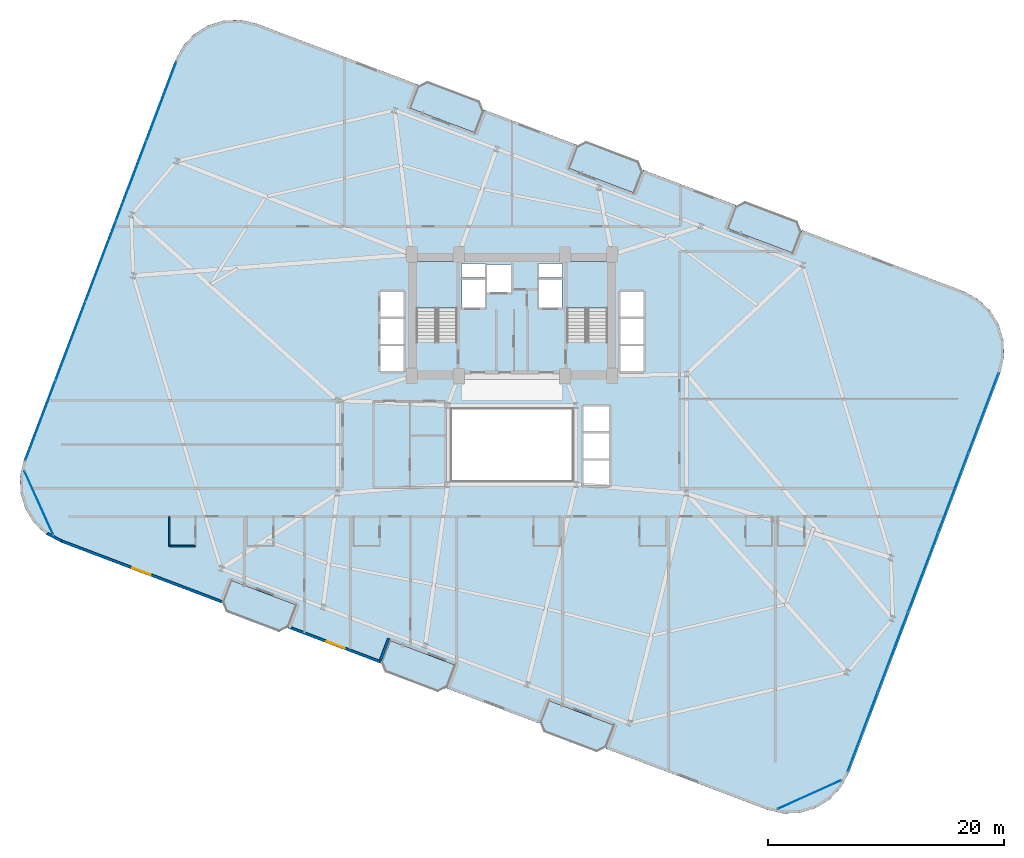
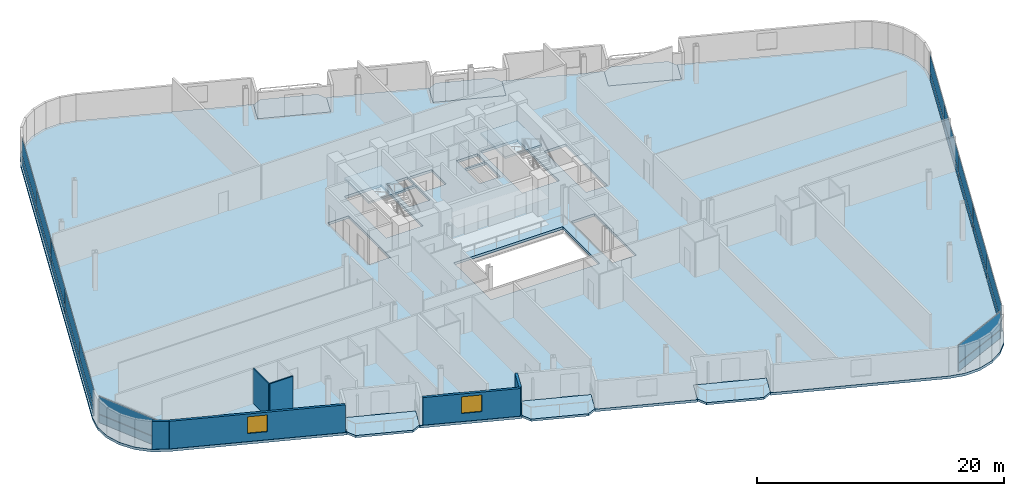
# One storey, part 17 of 25: 24 plates, 9 slabs, 6 walls, 2 windows, 2 openings, 6 elements without a shape of their own.
"""IFC4 building model written with IfcOpenShell, lengths in metres."""

import ifcopenshell
import ifcopenshell.guid

model = None  # the IFC model being written
_history = None  # IfcOwnerHistory: only IFC2X3 demands one
_inside = {}  # id of a spatial element -> (the spatial element, [elements in it])
_under = {}  # id of a project, library or spatial element -> (it, [spatial elements below it])
_declared = {}  # id of a project -> (the project, [libraries it declares])
_typed = {}  # id of a type object -> (the type object, [elements of that type])
_made_of = {}  # id of a material, layer set ... -> (it, [elements and type objects made of it])


def new_model(schema):
    """Start an empty IFC model of exactly this schema.

    Asked for "IFC4X3", IfcOpenShell would pick the latest addendum, in which some entities
    have other attributes; the version numbers below select the first issue.
    IFC2X3 requires an IfcOwnerHistory on every rooted entity: one is made here for all.
    """
    global model, _history
    if schema == "IFC4X3":
        model = ifcopenshell.file(schema_version=(4, 3, 0, 0))
    else:
        model = ifcopenshell.file(schema=schema)
    _inside.clear()
    _under.clear()
    _declared.clear()
    _typed.clear()
    _made_of.clear()
    _history = None
    if model.schema == "IFC2X3":
        org = make("IfcOrganization", Name="unknown")
        user = make(
            "IfcPersonAndOrganization",
            ThePerson=make("IfcPerson", FamilyName="unknown"),
            TheOrganization=org,
        )
        app = make(
            "IfcApplication",
            ApplicationDeveloper=org,
            Version="unknown",
            ApplicationFullName="unknown",
            ApplicationIdentifier="unknown",
        )
        _history = make(
            "IfcOwnerHistory",
            OwningUser=user,
            OwningApplication=app,
            ChangeAction="ADDED",
            CreationDate=0,
        )
    return model


def make(cls, **values):
    """One entity of the class cls with the attributes given. An attribute that is None is left unset."""
    return model.create_entity(
        cls, **{name: value for name, value in values.items() if value is not None}
    )


def rooted(cls, **values):
    """An entity with a GlobalId (a new one), such as an element, a storey or a relation."""
    return make(cls, GlobalId=ifcopenshell.guid.new(), OwnerHistory=_history, **values)


def si_unit(unit_type, name, prefix=None):
    """IfcSIUnit, for example si_unit("LENGTHUNIT", "METRE", prefix="MILLI")."""
    return make("IfcSIUnit", UnitType=unit_type, Prefix=prefix, Name=name)


def assignment(units):
    """IfcUnitAssignment: the units of a project."""
    return None if units is None else make("IfcUnitAssignment", Units=units)


def point(xyz):
    """IfcCartesianPoint."""
    return None if xyz is None else make("IfcCartesianPoint", Coordinates=xyz)


def direction(xyz):
    """IfcDirection."""
    return None if xyz is None else make("IfcDirection", DirectionRatios=xyz)


def frame(location, z_axis=None, x_axis=None):
    """IfcAxis2Placement3D, a coordinate frame: its origin and axes. An axis left out is left unset."""
    return make(
        "IfcAxis2Placement3D",
        Location=point(location),
        Axis=direction(z_axis),
        RefDirection=direction(x_axis),
    )


def frame_2d(location, x_axis=None):
    """IfcAxis2Placement2D, a coordinate frame in the plane: its origin and x axis."""
    return make(
        "IfcAxis2Placement2D", Location=point(location), RefDirection=direction(x_axis)
    )


def origin():
    """The frame at (0, 0, 0) with its axes left unset."""
    return frame((0.0, 0.0, 0.0))


def origin_2d():
    """The frame at (0, 0) in the plane with its x axis left unset."""
    return frame_2d((0.0, 0.0))


def place(relative_to, where):
    """IfcLocalPlacement: puts the frame where relative to a parent placement (None: the world)."""
    return make(
        "IfcLocalPlacement", PlacementRelTo=relative_to, RelativePlacement=where
    )


def context(
    kind, dimensions, precision=None, world=None, true_north=None, identifier=None
):
    """IfcGeometricRepresentationContext, for example the 3D "Model" context."""
    return make(
        "IfcGeometricRepresentationContext",
        ContextIdentifier=identifier,
        ContextType=kind,
        CoordinateSpaceDimension=dimensions,
        Precision=precision,
        WorldCoordinateSystem=world,
        TrueNorth=true_north,
    )


def subcontext(parent, identifier, kind, view, scale=None):
    """IfcGeometricRepresentationSubContext, for example "Body" below "Model"."""
    return make(
        "IfcGeometricRepresentationSubContext",
        ContextIdentifier=identifier,
        ContextType=kind,
        ParentContext=parent,
        TargetScale=scale,
        TargetView=view,
    )


def project(units=None, contexts=None):
    """IfcProject with its units and contexts."""
    return rooted(
        "IfcProject",
        Name="project",
        RepresentationContexts=contexts,
        UnitsInContext=assignment(units),
    )


def spatial(cls, under=None, at=None, **own):
    """A site, building, storey or space (cls), placed at a placement, below another one or the project."""
    s = rooted(cls, ObjectPlacement=at, **own)
    if under is not None:
        _under.setdefault(under.id(), (under, []))[1].append(s)
    return s


def polyline(points):
    """IfcPolyline through the points."""
    return make("IfcPolyline", Points=[point(p) for p in points])


def profile(cls, at=None, kind="AREA", **sizes):
    """A parametric profile (cls). Its sizes go by their IFC names, for example OverallWidth=200.0."""
    return make(cls, ProfileType=kind, Position=at, **sizes)


def rectangle(**sizes):
    """IfcRectangleProfileDef."""
    return profile("IfcRectangleProfileDef", **sizes)


def outline(outer, holes=None, kind="AREA"):
    """IfcArbitraryClosedProfileDef: a profile drawn as a closed curve; with holes, ...WithVoids."""
    if holes is None:
        return make("IfcArbitraryClosedProfileDef", ProfileType=kind, OuterCurve=outer)
    return make(
        "IfcArbitraryProfileDefWithVoids",
        ProfileType=kind,
        OuterCurve=outer,
        InnerCurves=holes,
    )


def extrude(swept, where, along, depth):
    """IfcExtrudedAreaSolid: the profile swept, set in the frame where, extruded along a direction by depth."""
    return make(
        "IfcExtrudedAreaSolid",
        SweptArea=swept,
        Position=where,
        ExtrudedDirection=direction(along),
        Depth=depth,
    )


def shape(context_of_items, identifier, shape_type, items):
    """IfcShapeRepresentation: the items that make up one representation, for example the "Body"."""
    return make(
        "IfcShapeRepresentation",
        ContextOfItems=context_of_items,
        RepresentationIdentifier=identifier,
        RepresentationType=shape_type,
        Items=items,
    )


def source(mapping_origin, context_of_items, identifier, shape_type, items):
    """IfcRepresentationMap: a shape defined once, which mapped items show again and again."""
    return make(
        "IfcRepresentationMap",
        MappingOrigin=mapping_origin,
        MappedRepresentation=shape(context_of_items, identifier, shape_type, items),
    )


def transform(
    local_origin,
    x_axis=None,
    y_axis=None,
    z_axis=None,
    scale=None,
    scale2=None,
    scale3=None,
    uniform=True,
):
    """IfcCartesianTransformationOperator3D, or its non-uniform kind. x_axis, y_axis, z_axis: its Axis1, 2, 3."""
    if uniform:
        return make(
            "IfcCartesianTransformationOperator3D",
            Axis1=direction(x_axis),
            Axis2=direction(y_axis),
            LocalOrigin=point(local_origin),
            Scale=scale,
            Axis3=direction(z_axis),
        )
    return make(
        "IfcCartesianTransformationOperator3DnonUniform",
        Axis1=direction(x_axis),
        Axis2=direction(y_axis),
        LocalOrigin=point(local_origin),
        Scale=scale,
        Axis3=direction(z_axis),
        Scale2=scale2,
        Scale3=scale3,
    )


def mapped(mapping_source, mapping_target):
    """IfcMappedItem: shows the shape of a source again, moved by a transform."""
    return make(
        "IfcMappedItem", MappingSource=mapping_source, MappingTarget=mapping_target
    )


def material(Name=None, Category=None):
    """IfcMaterial."""
    return make("IfcMaterial", Name=Name, Category=Category)


def layer(
    of_material, thickness, ventilated=None, Name=None, Category=None, Priority=None
):
    """IfcMaterialLayer: one layer of a wall or slab, of a material (None: an air gap)."""
    return make(
        "IfcMaterialLayer",
        Material=of_material,
        LayerThickness=thickness,
        IsVentilated=ventilated,
        Name=Name,
        Category=Category,
        Priority=Priority,
    )


def layer_set(layers, Name=None):
    """IfcMaterialLayerSet."""
    return make("IfcMaterialLayerSet", MaterialLayers=layers, LayerSetName=Name)


def made_of(thing, what):
    """Note that an element or type object is made of a material, layer set ...; save() writes the relation."""
    if what is not None:
        _made_of.setdefault(what.id(), (what, []))[1].append(thing)
    return thing


def type_object(cls, material=None, **own):
    """A type object (cls), such as IfcWallType, which elements share."""
    return made_of(rooted(cls, **own), material)


def element(
    cls,
    number,
    at=None,
    inside=None,
    cuts=None,
    type_object=None,
    material=None,
    context=None,
    identifier="Body",
    shape_type=None,
    held_by="IfcProductDefinitionShape",
    body=None,
    shapes=None,
    **own,
):
    """One element of the class cls, such as IfcWall. Its Tag is "e" and its number.

    at: its placement. inside: the storey or other place that contains it. cuts: it is an
    opening in that element (IfcRelVoidsElement). A single representation is given by context,
    identifier, shape_type and body (its items); several are given by shapes. held_by: the class
    of the entity that holds the representations. save() writes the other relations.
    """
    e = rooted(cls, Tag="e%d" % number, ObjectPlacement=at, **own)
    if body is not None:
        shapes = [shape(context, identifier, shape_type, body)]
    if shapes is not None:
        e.Representation = make(held_by, Representations=shapes)
    if inside is not None:
        _inside.setdefault(inside.id(), (inside, []))[1].append(e)
    if cuts is not None:
        rooted(
            "IfcRelVoidsElement", RelatingBuildingElement=cuts, RelatedOpeningElement=e
        )
    if type_object is not None:
        _typed.setdefault(type_object.id(), (type_object, []))[1].append(e)
    return made_of(e, material)


def fill(opening, filler):
    """IfcRelFillsElement: the door or window that sits in an opening."""
    return rooted(
        "IfcRelFillsElement",
        RelatingOpeningElement=opening,
        RelatedBuildingElement=filler,
    )


def aggregate(whole, parts):
    """IfcRelAggregates: a whole, such as a stair, and the parts it consists of."""
    return rooted("IfcRelAggregates", RelatingObject=whole, RelatedObjects=parts)


def save(model, path):
    """Write the relations noted so far, then the file.

    IfcRelAggregates (storeys below a building ...), IfcRelContainedInSpatialStructure (elements
    in a storey), IfcRelDefinesByType, IfcRelAssociatesMaterial and IfcRelDeclares: one each for
    every whole, place, type object, material and project.
    """
    for whole, parts in _under.values():
        aggregate(whole, parts)
    for where, things in _inside.values():
        rooted(
            "IfcRelContainedInSpatialStructure",
            RelatedElements=things,
            RelatingStructure=where,
        )
    for kind, things in _typed.values():
        rooted("IfcRelDefinesByType", RelatedObjects=things, RelatingType=kind)
    for what, things in _made_of.values():
        rooted("IfcRelAssociatesMaterial", RelatedObjects=things, RelatingMaterial=what)
    for by, libraries in _declared.values():
        rooted("IfcRelDeclares", RelatingContext=by, RelatedDefinitions=libraries)
    model.write(path)


model = new_model("IFC4")

# Units and contexts
model_context = context("Model", 3, precision=1e-05, world=origin(), true_north=direction((0.0, 1.0)))
body_context = subcontext(model_context, "Body", "Model", "MODEL_VIEW")
ifc_project = project(units=[si_unit("LENGTHUNIT", "METRE"), si_unit("AREAUNIT", "SQUARE_METRE"), si_unit("VOLUMEUNIT", "CUBIC_METRE"), si_unit("PLANEANGLEUNIT", "RADIAN"), si_unit("MASSUNIT", "GRAM", prefix="KILO")], contexts=[model_context])

# Site, building, storey
site_placement = place(None, origin())
site = spatial("IfcSite", under=ifc_project, at=site_placement, CompositionType="ELEMENT")
building_placement = place(site_placement, origin())
building = spatial("IfcBuilding", under=site, at=building_placement, Name="Varnelok Gate Tower", CompositionType="ELEMENT")
storey_placement = place(building_placement, frame((0.0, 0.0, 76.199951171875)))
storey = spatial("IfcBuildingStorey", under=building, at=storey_placement, Name="L18", CompositionType="ELEMENT", Elevation=76.199951171875)

# Slabs
ifc_material_1 = material(Name="Concrete C45/55", Category="concrete")
ifc_layer_1 = layer(ifc_material_1, 0.219970703125)
ifc_layer_set_1 = layer_set([ifc_layer_1], Name="Concrete C45/55")
slab_type_1 = type_object("IfcSlabType", Name="SLB-BALC-220", PredefinedType="FLOOR", material=ifc_layer_set_1)
slab_1_placement = place(storey_placement, frame((0.0, 0.0, -0.219970703125)))
element("IfcSlab", 1, at=slab_1_placement, inside=storey, type_object=slab_type_1, Name="L18 South Hollow Balcony 1", PredefinedType="FLOOR", context=body_context, shape_type="SweptSolid", body=[
    extrude(outline(polyline([(14.64208984375, 9.576416015625), (15.019775390625, 8.738525390625), (19.415283203125, 7.074462890625), (20.25341796875, 7.4521484375), (20.96142578125, 9.322509765625), (15.35009765625, 11.447021484375), (14.64208984375, 9.576416015625)])), origin(), (0.0, 0.0, 1.0), 0.219970703125),
])
slab_2_placement = place(storey_placement, frame((0.0, 0.0, -0.219970703125)))
element("IfcSlab", 2, at=slab_2_placement, inside=storey, type_object=slab_type_1, Name="L18 South Hollow Balcony 2", PredefinedType="FLOOR", context=body_context, shape_type="SweptSolid", body=[
    extrude(outline(polyline([(28.109375, 4.47802734375), (28.487060546875, 3.639892578125), (32.882568359375, 1.975830078125), (33.720703125, 2.353515625), (34.4287109375, 4.22412109375), (28.8173828125, 6.348388671875), (28.109375, 4.47802734375)])), origin(), (0.0, 0.0, 1.0), 0.219970703125),
])
slab_3_placement = place(storey_placement, frame((0.0, 0.0, -0.219970703125)))
element("IfcSlab", 3, at=slab_3_placement, inside=storey, type_object=slab_type_1, Name="L18 South Hollow Balcony 3", PredefinedType="FLOOR", context=body_context, shape_type="SweptSolid", body=[
    extrude(outline(polyline([(41.576416015625, -0.62060546875), (41.9541015625, -1.45849609375), (46.349853515625, -3.12255859375), (47.187744140625, -2.744873046875), (47.89599609375, -0.87451171875), (42.28466796875, 1.25), (41.576416015625, -0.62060546875)])), origin(), (0.0, 0.0, 1.0), 0.219970703125),
])
slab_4_placement = place(storey_placement, frame((0.0, 0.0, -0.219970703125)))
element("IfcSlab", 4, at=slab_4_placement, inside=storey, type_object=slab_type_1, Name="L18 North Hollow Balcony 1", PredefinedType="FLOOR", context=body_context, shape_type="SweptSolid", body=[
    extrude(outline(polyline([(30.504150390625, 51.474365234375), (36.115478515625, 49.35009765625), (36.823486328125, 51.220458984375), (36.44580078125, 52.05859375), (32.05029296875, 53.72265625), (31.212158203125, 53.344970703125), (30.504150390625, 51.474365234375)])), origin(), (0.0, 0.0, 1.0), 0.219970703125),
])
slab_5_placement = place(storey_placement, frame((0.0, 0.0, -0.219970703125)))
element("IfcSlab", 5, at=slab_5_placement, inside=storey, type_object=slab_type_1, Name="L18 North Hollow Balcony 2", PredefinedType="FLOOR", context=body_context, shape_type="SweptSolid", body=[
    extrude(outline(polyline([(43.97119140625, 46.3759765625), (49.58251953125, 44.251708984375), (50.290771484375, 46.1220703125), (49.9130859375, 46.9599609375), (45.517333984375, 48.6240234375), (44.679443359375, 48.246337890625), (43.97119140625, 46.3759765625)])), origin(), (0.0, 0.0, 1.0), 0.219970703125),
])
slab_6_placement = place(storey_placement, frame((0.0, 0.0, -0.219970703125)))
element("IfcSlab", 6, at=slab_6_placement, inside=storey, type_object=slab_type_1, Name="L18 North Hollow Balcony 3", PredefinedType="FLOOR", context=body_context, shape_type="SweptSolid", body=[
    extrude(outline(polyline([(57.4384765625, 41.27734375), (63.0498046875, 39.153076171875), (63.7578125, 41.0234375), (63.380126953125, 41.861572265625), (58.984619140625, 43.525634765625), (58.146484375, 43.14794921875), (57.4384765625, 41.27734375)])), origin(), (0.0, 0.0, 1.0), 0.219970703125),
])

# Stair, slab
ifc_material_2 = material(Name="Concrete C50/60", Category="concrete")
stair_type = type_object("IfcStairType", Name="STR-CORE-1650", PredefinedType="HALF_TURN_STAIR", material=ifc_material_2)
stair_1_placement = place(storey_placement, origin())
stair_1 = element("IfcStair", 7, at=stair_1_placement, inside=storey, type_object=stair_type, Name="L18 Exit Stair ST-1", PredefinedType="HALF_TURN_STAIR")
ifc_layer_2 = layer(ifc_material_1, 0.199951171875)
ifc_layer_set_2 = layer_set([ifc_layer_2], Name="Concrete C45/55")
slab_type_2 = type_object("IfcSlabType", Name="SLB-LAND-200", PredefinedType="LANDING", material=ifc_layer_set_2)
slab_7_placement = place(storey_placement, frame((0.0, 0.0, 1.650146484375)))
slab_7 = element("IfcSlab", 8, at=slab_7_placement, type_object=slab_type_2, Name="ST-1 landing 1", PredefinedType="LANDING", context=body_context, shape_type="SweptSolid", body=[
    extrude(outline(polyline([(34.550048828125, 34.5), (34.550048828125, 38.449951171875), (31.10009765625, 38.449951171875), (31.10009765625, 34.5), (34.550048828125, 34.5)])), origin(), (0.0, 0.0, 1.0), 0.199951171875),
])
aggregate(stair_1, [slab_7])

stair_2_placement = place(storey_placement, origin())
stair_2 = element("IfcStair", 9, at=stair_2_placement, inside=storey, type_object=stair_type, Name="L18 Exit Stair ST-2", PredefinedType="HALF_TURN_STAIR")
slab_8_placement = place(storey_placement, frame((0.0, 0.0, 1.650146484375)))
slab_8 = element("IfcSlab", 10, at=slab_8_placement, type_object=slab_type_2, Name="ST-2 landing 1", PredefinedType="LANDING", context=body_context, shape_type="SweptSolid", body=[
    extrude(outline(polyline([(47.300048828125, 34.5), (47.300048828125, 38.449951171875), (43.85009765625, 38.449951171875), (43.85009765625, 34.5), (47.300048828125, 34.5)])), origin(), (0.0, 0.0, 1.0), 0.199951171875),
])
aggregate(stair_2, [slab_8])

# Slab
ifc_layer_3 = layer(ifc_material_2, 0.25)
ifc_layer_set_3 = layer_set([ifc_layer_3], Name="Concrete C50/60")
slab_type_3 = type_object("IfcSlabType", Name="SLB-TYP-250", PredefinedType="FLOOR", material=ifc_layer_set_3)
slab_9_placement = place(storey_placement, frame((0.0, 0.0, -0.25)))
element("IfcSlab", 11, at=slab_9_placement, inside=storey, type_object=slab_type_3, Name="L18 Structural Floor Slab", PredefinedType="FLOOR", context=body_context, shape_type="SweptSolid", body=[
    extrude(outline(polyline([(-2.185791015625, 21.614501953125), (-2.508544921875, 20.2421875), (-2.465087890625, 18.833251953125), (-2.05859375, 17.4833984375), (-1.31640625, 16.284912109375), (-0.28955078125, 15.319091796875), (0.952392578125, 14.65234375), (12.05029296875, 10.45068359375), (14.606689453125, 9.48291015625), (15.35009765625, 11.447021484375), (20.96142578125, 9.322509765625), (20.218017578125, 7.358642578125), (28.073974609375, 4.384521484375), (28.8173828125, 6.348388671875), (34.4287109375, 4.22412109375), (33.685302734375, 2.260009765625), (41.541015625, -0.714111328125), (42.28466796875, 1.25), (47.89599609375, -0.87451171875), (47.15234375, -2.83837890625), (49.708740234375, -3.80615234375), (60.806640625, -8.0078125), (62.1787109375, -8.33056640625), (63.587890625, -8.287109375), (64.937744140625, -7.880615234375), (66.13623046875, -7.138427734375), (67.101806640625, -6.111328125), (67.768798828125, -4.869384765625), (80.585693359375, 28.985595703125), (80.90869140625, 30.35791015625), (80.865234375, 31.766845703125), (80.45849609375, 33.11669921875), (79.716552734375, 34.315185546875), (78.689453125, 35.28076171875), (77.447509765625, 35.94775390625), (66.349609375, 40.1494140625), (63.793212890625, 41.116943359375), (63.0498046875, 39.153076171875), (57.4384765625, 41.27734375), (58.181884765625, 43.241455078125), (50.326171875, 46.215576171875), (49.58251953125, 44.251708984375), (43.97119140625, 46.3759765625), (44.71484375, 48.33984375), (36.85888671875, 51.31396484375), (36.115478515625, 49.35009765625), (30.504150390625, 51.474365234375), (31.24755859375, 53.4384765625), (28.69140625, 54.40625), (17.593505859375, 58.607666015625), (16.22119140625, 58.930419921875), (14.81201171875, 58.886962890625), (13.46240234375, 58.48046875), (12.263916015625, 57.73828125), (11.298095703125, 56.71142578125), (10.631103515625, 55.469482421875), (-2.185791015625, 21.614501953125)]), holes=[polyline([(34.550048828125, 31.679931640625), (34.550048828125, 38.449951171875), (31.10009765625, 38.449951171875), (31.10009765625, 31.679931640625), (34.550048828125, 31.679931640625)]), polyline([(47.300048828125, 31.679931640625), (47.300048828125, 38.449951171875), (43.85009765625, 38.449951171875), (43.85009765625, 31.679931640625), (47.300048828125, 31.679931640625)]), polyline([(34.949951171875, 34.550048828125), (36.89990234375, 34.550048828125), (36.89990234375, 36.89990234375), (34.949951171875, 36.89990234375), (34.949951171875, 34.550048828125)]), polyline([(41.5, 34.550048828125), (43.449951171875, 34.550048828125), (43.449951171875, 36.89990234375), (41.5, 36.89990234375), (41.5, 34.550048828125)]), polyline([(37.050048828125, 35.85009765625), (39.14990234375, 35.85009765625), (39.14990234375, 38.199951171875), (37.050048828125, 38.199951171875), (37.050048828125, 35.85009765625)]), polyline([(28.050048828125, 29.14990234375), (30.050048828125, 29.14990234375), (30.050048828125, 35.89990234375), (28.050048828125, 35.89990234375), (28.050048828125, 29.14990234375)]), polyline([(48.35009765625, 29.14990234375), (50.35009765625, 29.14990234375), (50.35009765625, 35.89990234375), (48.35009765625, 35.89990234375), (48.35009765625, 29.14990234375)]), polyline([(45.25, 19.449951171875), (47.449951171875, 19.449951171875), (47.449951171875, 26.199951171875), (45.25, 26.199951171875), (45.25, 19.449951171875)]), polyline([(34.919921875, 37.080078125), (36.89990234375, 37.080078125), (36.89990234375, 38.280029296875), (34.919921875, 38.280029296875), (34.919921875, 37.080078125)]), polyline([(41.5, 37.080078125), (43.47998046875, 37.080078125), (43.47998046875, 38.280029296875), (41.5, 38.280029296875), (41.5, 37.080078125)]), polyline([(34.10009765625, 19.89990234375), (44.300048828125, 19.89990234375), (44.300048828125, 25.89990234375), (34.10009765625, 25.89990234375), (34.10009765625, 19.89990234375)])]), origin(), (0.0, 0.0, 1.0), 0.25),
])

# Curtain wall, plates
ifc_material_3 = material(Name="Anodized Aluminum Alloy 6063-T6", Category="aluminium")
ifc_layer_4 = layer(ifc_material_3, 0.179931640625)
ifc_layer_set_4 = layer_set([ifc_layer_4], Name="Anodized Aluminum Alloy 6063-T6")
curtain_wall_type_1 = type_object("IfcCurtainWallType", Name="CW3-HOTEL-VISION", PredefinedType="USERDEFINED", material=ifc_layer_set_4)
curtain_wall_1_placement = place(storey_placement, origin())
curtain_wall_1 = element("IfcCurtainWall", 12, at=curtain_wall_1_placement, inside=storey, type_object=curtain_wall_type_1, Name="L18 West End Vision Curtain Wall", ObjectType="UNITISED CURTAIN WALL", PredefinedType="USERDEFINED")
ifc_material_4 = material(Name="Low-E Laminated Double Glazing IGU", Category="glass")
ifc_layer_5 = layer(ifc_material_4, 0.031982421875)
ifc_layer_set_5 = layer_set([ifc_layer_5], Name="Low-E Laminated Double Glazing IGU")
plate_type_1 = type_object("IfcPlateType", Name="CW-PNL-IGU32", PredefinedType="CURTAIN_PANEL", material=ifc_layer_set_5)
shared_shape_1 = source(origin(), body_context, "Body", "SweptSolid", [
    extrude(rectangle(XDim=7.142578125, YDim=0.031982421875, at=origin_2d()), origin(), (0.0, 0.0, 1.0), 0.802490234375),
])
plate_1_placement = place(storey_placement, frame((-0.767333984375, 24.965576171875, 0.06494140625), z_axis=(0.0, 0.0, 1.0), x_axis=(0.354063660545, 0.935221323688, 0.0)))
plate_1 = element("IfcPlate", 13, at=plate_1_placement, type_object=plate_type_1, Name="CW3 panel 1.1", PredefinedType="CURTAIN_PANEL", context=body_context, shape_type="MappedRepresentation", body=[
    mapped(shared_shape_1, transform((0.0, 0.0, 0.0), scale=1.0)),
])
plate_2_placement = place(storey_placement, frame((9.474853515625, 52.019287109375, 0.06494140625), z_axis=(0.0, 0.0, 1.0), x_axis=(0.354063660545, 0.935221323688, 0.0)))
plate_2 = element("IfcPlate", 14, at=plate_2_placement, type_object=plate_type_1, Name="CW3 panel 5.1", PredefinedType="CURTAIN_PANEL", context=body_context, shape_type="MappedRepresentation", body=[
    mapped(shared_shape_1, transform((0.0, 0.0, 0.0), scale=1.0)),
])

curtain_wall_2_placement = place(storey_placement, origin())
curtain_wall_2 = element("IfcCurtainWall", 15, at=curtain_wall_2_placement, inside=storey, type_object=curtain_wall_type_1, Name="L18 East End Vision Curtain Wall", ObjectType="UNITISED CURTAIN WALL", PredefinedType="USERDEFINED")
plate_3_placement = place(storey_placement, frame((79.16748046875, 25.634521484375, 0.06494140625), z_axis=(0.0, 0.0, 1.0), x_axis=(-0.354063660545, -0.935221323688, 0.0)))
plate_3 = element("IfcPlate", 16, at=plate_3_placement, type_object=plate_type_1, Name="CW3 panel 1.1", PredefinedType="CURTAIN_PANEL", context=body_context, shape_type="MappedRepresentation", body=[
    mapped(shared_shape_1, transform((0.0, 0.0, 0.0), scale=1.0)),
])
plate_4_placement = place(storey_placement, frame((68.92529296875, -1.419189453125, 0.06494140625), z_axis=(0.0, 0.0, 1.0), x_axis=(-0.354063660545, -0.935221323688, 0.0)))
plate_4 = element("IfcPlate", 17, at=plate_4_placement, type_object=plate_type_1, Name="CW3 panel 5.1", PredefinedType="CURTAIN_PANEL", context=body_context, shape_type="MappedRepresentation", body=[
    mapped(shared_shape_1, transform((0.0, 0.0, 0.0), scale=1.0)),
])

# Plate
shared_shape_2 = source(origin(), body_context, "Body", "SweptSolid", [
    extrude(rectangle(XDim=7.142578125, YDim=0.031982421875, at=origin_2d()), origin(), (0.0, 0.0, 1.0), 1.732421875),
])
plate_5_placement = place(storey_placement, frame((-0.767333984375, 24.965576171875, 0.9326171875), z_axis=(0.0, 0.0, 1.0), x_axis=(0.354063660545, 0.935221323688, 0.0)))
plate_5 = element("IfcPlate", 18, at=plate_5_placement, type_object=plate_type_1, Name="CW3 panel 1.2", PredefinedType="CURTAIN_PANEL", context=body_context, shape_type="MappedRepresentation", body=[
    mapped(shared_shape_2, transform((0.0, 0.0, 0.0), scale=1.0)),
])

plate_6_placement = place(storey_placement, frame((9.474853515625, 52.019287109375, 0.9326171875), z_axis=(0.0, 0.0, 1.0), x_axis=(0.354063660545, 0.935221323688, 0.0)))
plate_6 = element("IfcPlate", 19, at=plate_6_placement, type_object=plate_type_1, Name="CW3 panel 5.2", PredefinedType="CURTAIN_PANEL", context=body_context, shape_type="MappedRepresentation", body=[
    mapped(shared_shape_2, transform((0.0, 0.0, 0.0), scale=1.0)),
])

plate_7_placement = place(storey_placement, frame((79.16748046875, 25.634521484375, 0.9326171875), z_axis=(0.0, 0.0, 1.0), x_axis=(-0.354063660545, -0.935221323688, 0.0)))
plate_7 = element("IfcPlate", 20, at=plate_7_placement, type_object=plate_type_1, Name="CW3 panel 1.2", PredefinedType="CURTAIN_PANEL", context=body_context, shape_type="MappedRepresentation", body=[
    mapped(shared_shape_2, transform((0.0, 0.0, 0.0), scale=1.0)),
])

plate_8_placement = place(storey_placement, frame((68.92529296875, -1.419189453125, 0.9326171875), z_axis=(0.0, 0.0, 1.0), x_axis=(-0.354063660545, -0.935221323688, 0.0)))
plate_8 = element("IfcPlate", 21, at=plate_8_placement, type_object=plate_type_1, Name="CW3 panel 5.2", PredefinedType="CURTAIN_PANEL", context=body_context, shape_type="MappedRepresentation", body=[
    mapped(shared_shape_2, transform((0.0, 0.0, 0.0), scale=1.0)),
])

shared_shape_3 = source(origin(), body_context, "Body", "SweptSolid", [
    extrude(rectangle(XDim=7.175048828125, YDim=0.031982421875, at=origin_2d()), origin(), (0.0, 0.0, 1.0), 0.802490234375),
])
plate_9_placement = place(storey_placement, frame((1.790283203125, 31.721435546875, 0.06494140625), z_axis=(0.0, 0.0, 1.0), x_axis=(0.354063660545, 0.935221323688, 0.0)))
plate_9 = element("IfcPlate", 22, at=plate_9_placement, type_object=plate_type_1, Name="CW3 panel 2.1", PredefinedType="CURTAIN_PANEL", context=body_context, shape_type="MappedRepresentation", body=[
    mapped(shared_shape_3, transform((0.0, 0.0, 0.0), scale=1.0)),
])

plate_10_placement = place(storey_placement, frame((4.353759765625, 38.492431640625, 0.06494140625), z_axis=(0.0, 0.0, 1.0), x_axis=(0.354063660545, 0.935221323688, 0.0)))
plate_10 = element("IfcPlate", 23, at=plate_10_placement, type_object=plate_type_1, Name="CW3 panel 3.1", PredefinedType="CURTAIN_PANEL", context=body_context, shape_type="MappedRepresentation", body=[
    mapped(shared_shape_3, transform((0.0, 0.0, 0.0), scale=1.0)),
])

plate_11_placement = place(storey_placement, frame((6.9169921875, 45.263427734375, 0.06494140625), z_axis=(0.0, 0.0, 1.0), x_axis=(0.354063660545, 0.935221323688, 0.0)))
plate_11 = element("IfcPlate", 24, at=plate_11_placement, type_object=plate_type_1, Name="CW3 panel 4.1", PredefinedType="CURTAIN_PANEL", context=body_context, shape_type="MappedRepresentation", body=[
    mapped(shared_shape_3, transform((0.0, 0.0, 0.0), scale=1.0)),
])

plate_12_placement = place(storey_placement, frame((76.60986328125, 18.878662109375, 0.06494140625), z_axis=(0.0, 0.0, 1.0), x_axis=(-0.354063660545, -0.935221323688, 0.0)))
plate_12 = element("IfcPlate", 25, at=plate_12_placement, type_object=plate_type_1, Name="CW3 panel 2.1", PredefinedType="CURTAIN_PANEL", context=body_context, shape_type="MappedRepresentation", body=[
    mapped(shared_shape_3, transform((0.0, 0.0, 0.0), scale=1.0)),
])

plate_13_placement = place(storey_placement, frame((74.04638671875, 12.107666015625, 0.06494140625), z_axis=(0.0, 0.0, 1.0), x_axis=(-0.354063660545, -0.935221323688, 0.0)))
plate_13 = element("IfcPlate", 26, at=plate_13_placement, type_object=plate_type_1, Name="CW3 panel 3.1", PredefinedType="CURTAIN_PANEL", context=body_context, shape_type="MappedRepresentation", body=[
    mapped(shared_shape_3, transform((0.0, 0.0, 0.0), scale=1.0)),
])

plate_14_placement = place(storey_placement, frame((71.48291015625, 5.336669921875, 0.06494140625), z_axis=(0.0, 0.0, 1.0), x_axis=(-0.354063660545, -0.935221323688, 0.0)))
plate_14 = element("IfcPlate", 27, at=plate_14_placement, type_object=plate_type_1, Name="CW3 panel 4.1", PredefinedType="CURTAIN_PANEL", context=body_context, shape_type="MappedRepresentation", body=[
    mapped(shared_shape_3, transform((0.0, 0.0, 0.0), scale=1.0)),
])

shared_shape_4 = source(origin(), body_context, "Body", "SweptSolid", [
    extrude(rectangle(XDim=7.175048828125, YDim=0.031982421875, at=origin_2d()), origin(), (0.0, 0.0, 1.0), 1.732421875),
])
plate_15_placement = place(storey_placement, frame((1.790283203125, 31.721435546875, 0.9326171875), z_axis=(0.0, 0.0, 1.0), x_axis=(0.354063660545, 0.935221323688, 0.0)))
plate_15 = element("IfcPlate", 28, at=plate_15_placement, type_object=plate_type_1, Name="CW3 panel 2.2", PredefinedType="CURTAIN_PANEL", context=body_context, shape_type="MappedRepresentation", body=[
    mapped(shared_shape_4, transform((0.0, 0.0, 0.0), scale=1.0)),
])

plate_16_placement = place(storey_placement, frame((4.353759765625, 38.492431640625, 0.9326171875), z_axis=(0.0, 0.0, 1.0), x_axis=(0.354063660545, 0.935221323688, 0.0)))
plate_16 = element("IfcPlate", 29, at=plate_16_placement, type_object=plate_type_1, Name="CW3 panel 3.2", PredefinedType="CURTAIN_PANEL", context=body_context, shape_type="MappedRepresentation", body=[
    mapped(shared_shape_4, transform((0.0, 0.0, 0.0), scale=1.0)),
])

plate_17_placement = place(storey_placement, frame((6.9169921875, 45.263427734375, 0.9326171875), z_axis=(0.0, 0.0, 1.0), x_axis=(0.354063660545, 0.935221323688, 0.0)))
plate_17 = element("IfcPlate", 30, at=plate_17_placement, type_object=plate_type_1, Name="CW3 panel 4.2", PredefinedType="CURTAIN_PANEL", context=body_context, shape_type="MappedRepresentation", body=[
    mapped(shared_shape_4, transform((0.0, 0.0, 0.0), scale=1.0)),
])

aggregate(curtain_wall_1, [plate_1, plate_5, plate_9, plate_15, plate_10, plate_16, plate_11, plate_17, plate_2, plate_6])

plate_18_placement = place(storey_placement, frame((76.60986328125, 18.878662109375, 0.9326171875), z_axis=(0.0, 0.0, 1.0), x_axis=(-0.354063660545, -0.935221323688, 0.0)))
plate_18 = element("IfcPlate", 31, at=plate_18_placement, type_object=plate_type_1, Name="CW3 panel 2.2", PredefinedType="CURTAIN_PANEL", context=body_context, shape_type="MappedRepresentation", body=[
    mapped(shared_shape_4, transform((0.0, 0.0, 0.0), scale=1.0)),
])

plate_19_placement = place(storey_placement, frame((74.04638671875, 12.107666015625, 0.9326171875), z_axis=(0.0, 0.0, 1.0), x_axis=(-0.354063660545, -0.935221323688, 0.0)))
plate_19 = element("IfcPlate", 32, at=plate_19_placement, type_object=plate_type_1, Name="CW3 panel 3.2", PredefinedType="CURTAIN_PANEL", context=body_context, shape_type="MappedRepresentation", body=[
    mapped(shared_shape_4, transform((0.0, 0.0, 0.0), scale=1.0)),
])

plate_20_placement = place(storey_placement, frame((71.48291015625, 5.336669921875, 0.9326171875), z_axis=(0.0, 0.0, 1.0), x_axis=(-0.354063660545, -0.935221323688, 0.0)))
plate_20 = element("IfcPlate", 33, at=plate_20_placement, type_object=plate_type_1, Name="CW3 panel 4.2", PredefinedType="CURTAIN_PANEL", context=body_context, shape_type="MappedRepresentation", body=[
    mapped(shared_shape_4, transform((0.0, 0.0, 0.0), scale=1.0)),
])

aggregate(curtain_wall_2, [plate_3, plate_7, plate_12, plate_18, plate_13, plate_19, plate_14, plate_20, plate_4, plate_8])

# Curtain wall, plate
ifc_layer_6 = layer(ifc_material_3, 0.179931640625)
ifc_layer_set_6 = layer_set([ifc_layer_6], Name="Anodized Aluminum Alloy 6063-T6")
curtain_wall_type_2 = type_object("IfcCurtainWallType", Name="CW5-WINDCORNER-GLAZ", PredefinedType="USERDEFINED", material=ifc_layer_set_6)
curtain_wall_3_placement = place(storey_placement, origin())
curtain_wall_3 = element("IfcCurtainWall", 34, at=curtain_wall_3_placement, inside=storey, type_object=curtain_wall_type_2, Name="L18 Wind-Shaped Corner Curtain Wall SW", ObjectType="STRUCTURAL GLAZING", PredefinedType="USERDEFINED")
ifc_layer_7 = layer(ifc_material_4, 0.0419921875)
ifc_layer_set_7 = layer_set([ifc_layer_7], Name="Low-E Laminated Double Glazing IGU")
plate_type_2 = type_object("IfcPlateType", Name="CW-PNL-SPN42", PredefinedType="CURTAIN_PANEL", material=ifc_layer_set_7)
shared_shape_5 = source(origin(), body_context, "Body", "SweptSolid", [
    extrude(rectangle(XDim=5.8662109375, YDim=0.0419921875, at=origin_2d()), origin(), (0.0, 0.0, 1.0), 0.802490234375),
])
plate_21_placement = place(storey_placement, frame((-0.913330078125, 17.999755859375, 0.06494140625), z_axis=(0.0, 0.0, 1.0), x_axis=(0.410937369038, -0.911663577603, 0.0)))
plate_21 = element("IfcPlate", 35, at=plate_21_placement, type_object=plate_type_2, Name="CW5 panel 1.1", PredefinedType="CURTAIN_PANEL", context=body_context, shape_type="MappedRepresentation", body=[
    mapped(shared_shape_5, transform((0.0, 0.0, 0.0), scale=1.0)),
])

curtain_wall_4_placement = place(storey_placement, origin())
curtain_wall_4 = element("IfcCurtainWall", 36, at=curtain_wall_4_placement, inside=storey, type_object=curtain_wall_type_2, Name="L18 Wind-Shaped Corner Curtain Wall SE", ObjectType="STRUCTURAL GLAZING", PredefinedType="USERDEFINED")
plate_22_placement = place(storey_placement, frame((64.42138671875, -6.735107421875, 0.06494140625), z_axis=(0.0, 0.0, 1.0), x_axis=(0.911660761306, 0.41094361693, 0.0)))
plate_22 = element("IfcPlate", 37, at=plate_22_placement, type_object=plate_type_2, Name="CW5 panel 1.1", PredefinedType="CURTAIN_PANEL", context=body_context, shape_type="MappedRepresentation", body=[
    mapped(shared_shape_5, transform((0.0, 0.0, 0.0), scale=1.0)),
])

# Plate
shared_shape_6 = source(origin(), body_context, "Body", "SweptSolid", [
    extrude(rectangle(XDim=5.8662109375, YDim=0.0419921875, at=origin_2d()), origin(), (0.0, 0.0, 1.0), 1.732421875),
])
plate_23_placement = place(storey_placement, frame((-0.913330078125, 17.999755859375, 0.9326171875), z_axis=(0.0, 0.0, 1.0), x_axis=(0.410937369038, -0.911663577603, 0.0)))
plate_23 = element("IfcPlate", 38, at=plate_23_placement, type_object=plate_type_2, Name="CW5 panel 1.2", PredefinedType="CURTAIN_PANEL", context=body_context, shape_type="MappedRepresentation", body=[
    mapped(shared_shape_6, transform((0.0, 0.0, 0.0), scale=1.0)),
])

aggregate(curtain_wall_3, [plate_21, plate_23])

plate_24_placement = place(storey_placement, frame((64.42138671875, -6.735107421875, 0.9326171875), z_axis=(0.0, 0.0, 1.0), x_axis=(0.911660761306, 0.41094361693, 0.0)))
plate_24 = element("IfcPlate", 39, at=plate_24_placement, type_object=plate_type_2, Name="CW5 panel 1.2", PredefinedType="CURTAIN_PANEL", context=body_context, shape_type="MappedRepresentation", body=[
    mapped(shared_shape_6, transform((0.0, 0.0, 0.0), scale=1.0)),
])

aggregate(curtain_wall_4, [plate_22, plate_24])

# Wall
ifc_layer_8 = layer(ifc_material_1, 0.219970703125)
ifc_layer_set_8 = layer_set([ifc_layer_8], Name="Concrete C45/55")
wall_type_1 = type_object("IfcWallType", Name="EW-BALC-220", PredefinedType="SOLIDWALL", material=ifc_layer_set_8)
wall_1_placement = place(storey_placement, frame((-0.19677734375, 15.405517578125, 0.0), z_axis=(0.0, 0.0, 1.0), x_axis=(0.881023507585, -0.47307248819, 0.0)))
element("IfcWall", 40, at=wall_1_placement, inside=storey, type_object=wall_type_1, Name="L18 Perimeter Facade Closure Wall 6", PredefinedType="SOLIDWALL", context=body_context, shape_type="SweptSolid", body=[
    extrude(rectangle(XDim=1.36083984375, YDim=0.219970703125, at=frame_2d((0.680419921875, 0.0))), origin(), (0.0, 0.0, 1.0), 2.72998046875),
])

# Wall, opening, window
wall_2_placement = place(storey_placement, frame((1.025634765625, 14.7529296875, 0.0), z_axis=(0.0, 0.0, 1.0), x_axis=(0.935222448475, -0.354060689526, 0.0)))
wall_2 = element("IfcWall", 41, at=wall_2_placement, inside=storey, type_object=wall_type_1, Name="L18 Perimeter Facade Closure Wall 7", PredefinedType="SOLIDWALL", context=body_context, shape_type="SweptSolid", body=[
    extrude(rectangle(XDim=14.447265625, YDim=0.219970703125, at=frame_2d((7.2236328125, 0.0))), origin(), (0.0, 0.0, 1.0), 2.72998046875),
])
opening_1_placement = place(wall_2_placement, frame((6.398681640625, 0.0, 0.800048828125)))
opening_1 = element("IfcOpeningElement", 42, at=opening_1_placement, cuts=wall_2, Name="Opening WN3", PredefinedType="OPENING", context=body_context, shape_type="SweptSolid", body=[
    extrude(rectangle(XDim=1.64990234375, YDim=1.64990234375, at=frame_2d((0.824951171875, 0.824951171875))), frame((0.0, 0.119873046875, 0.0), z_axis=(0.0, -1.0, 0.0), x_axis=(1.0, 0.0, 0.0)), (0.0, 0.0, 1.0), 0.239990234375),
])
window_type = type_object("IfcWindowType", Name="WN-HTL-1650", PartitioningType="SINGLE_PANEL", PredefinedType="WINDOW", material=ifc_material_4)
window_1_placement = place(opening_1_placement, origin())
window_1 = element("IfcWindow", 43, at=window_1_placement, inside=storey, type_object=window_type, Name="L18 Perimeter Vision Window 7", OverallHeight=1.64990234375, OverallWidth=1.64990234375, PartitioningType="SINGLE_PANEL", PredefinedType="WINDOW", context=body_context, shape_type="SweptSolid", body=[
    extrude(rectangle(XDim=1.64990234375, YDim=1.64990234375, at=frame_2d((0.824951171875, 0.824951171875))), frame((0.0, 0.030029296875, 0.0), z_axis=(0.0, -1.0, 0.0), x_axis=(1.0, 0.0, 0.0)), (0.0, 0.0, 1.0), 0.06005859375),
])
fill(opening_1, window_1)

wall_3_placement = place(storey_placement, frame((20.489501953125, 7.384033203125, 0.0), z_axis=(0.0, 0.0, 1.0), x_axis=(0.935230796934, -0.354038636968, 0.0)))
wall_3 = element("IfcWall", 44, at=wall_3_placement, inside=storey, type_object=wall_type_1, Name="L18 Perimeter Facade Closure Wall 10", PredefinedType="SOLIDWALL", context=body_context, shape_type="SweptSolid", body=[
    extrude(rectangle(XDim=8.03515625, YDim=0.219970703125, at=frame_2d((4.017578125, 0.0))), origin(), (0.0, 0.0, 1.0), 2.72998046875),
])
opening_2_placement = place(wall_3_placement, frame((3.1923828125, 0.0, 0.800048828125)))
opening_2 = element("IfcOpeningElement", 45, at=opening_2_placement, cuts=wall_3, Name="Opening WN3", PredefinedType="OPENING", context=body_context, shape_type="SweptSolid", body=[
    extrude(rectangle(XDim=1.64990234375, YDim=1.64990234375, at=frame_2d((0.824951171875, 0.824951171875))), frame((0.0, 0.119873046875, 0.0), z_axis=(0.0, -1.0, 0.0), x_axis=(1.0, 0.0, 0.0)), (0.0, 0.0, 1.0), 0.239990234375),
])
window_2_placement = place(opening_2_placement, origin())
window_2 = element("IfcWindow", 46, at=window_2_placement, inside=storey, type_object=window_type, Name="L18 Perimeter Vision Window 10", OverallHeight=1.64990234375, OverallWidth=1.64990234375, PartitioningType="SINGLE_PANEL", PredefinedType="WINDOW", context=body_context, shape_type="SweptSolid", body=[
    extrude(rectangle(XDim=1.64990234375, YDim=1.64990234375, at=frame_2d((0.824951171875, 0.824951171875))), frame((0.0, 0.030029296875, 0.0), z_axis=(0.0, -1.0, 0.0), x_axis=(1.0, 0.0, 0.0)), (0.0, 0.0, 1.0), 0.06005859375),
])
fill(opening_2, window_2)

# Walls
wall_4_placement = place(storey_placement, frame((28.04833984375, 4.656005859375, 0.0), z_axis=(0.0, 0.0, 1.0), x_axis=(0.354128791944, 0.935196663123, 0.0)))
element("IfcWall", 47, at=wall_4_placement, inside=storey, type_object=wall_type_1, Name="L18 Perimeter Facade Closure Wall 11", PredefinedType="SOLIDWALL", context=body_context, shape_type="SweptSolid", body=[
    extrude(rectangle(XDim=1.97509765625, YDim=0.219970703125, at=frame_2d((0.987548828125, 0.0))), origin(), (0.0, 0.0, 1.0), 2.72998046875),
])
ifc_material_5 = material(Name="Gypsum Plasterboard Acoustic Partition", Category="gypsum")
ifc_layer_9 = layer(ifc_material_5, 0.114990234375)
ifc_layer_set_9 = layer_set([ifc_layer_9], Name="Gypsum Plasterboard Acoustic Partition")
wall_type_2 = type_object("IfcWallType", Name="PW-ENS-125", PredefinedType="PARTITIONING", material=ifc_layer_set_9)
wall_5_placement = place(storey_placement, frame((10.179931640625, 14.330078125, 0.0), z_axis=(0.0, 0.0, 1.0), x_axis=(1.0, 0.0, 0.0)))
element("IfcWall", 48, at=wall_5_placement, inside=storey, type_object=wall_type_2, Name="Interior Partition", PredefinedType="PARTITIONING", context=body_context, shape_type="SweptSolid", body=[
    extrude(rectangle(XDim=2.150146484375, YDim=0.114990234375, at=frame_2d((1.0751953125, 0.0))), origin(), (0.0, 0.0, 1.0), 3.449951171875),
])
wall_6_placement = place(storey_placement, frame((10.139892578125, 14.330078125, 0.0), z_axis=(0.0, 0.0, 1.0), x_axis=(0.0, 1.0, 0.0)))
element("IfcWall", 49, at=wall_6_placement, inside=storey, type_object=wall_type_2, Name="Interior Partition", PredefinedType="PARTITIONING", context=body_context, shape_type="SweptSolid", body=[
    extrude(rectangle(XDim=2.52001953125, YDim=0.114990234375, at=frame_2d((1.260009765625, 0.0))), origin(), (0.0, 0.0, 1.0), 3.449951171875),
])

save(model, "model.ifc")
